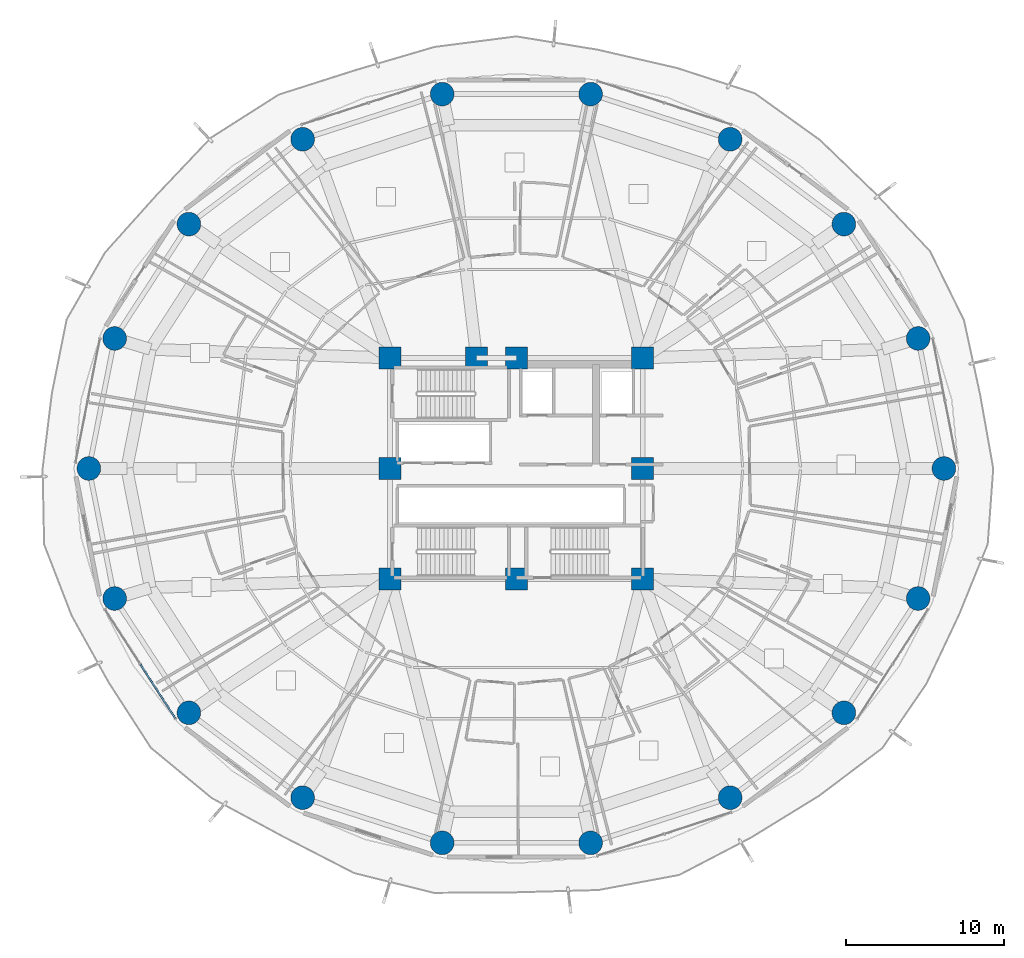
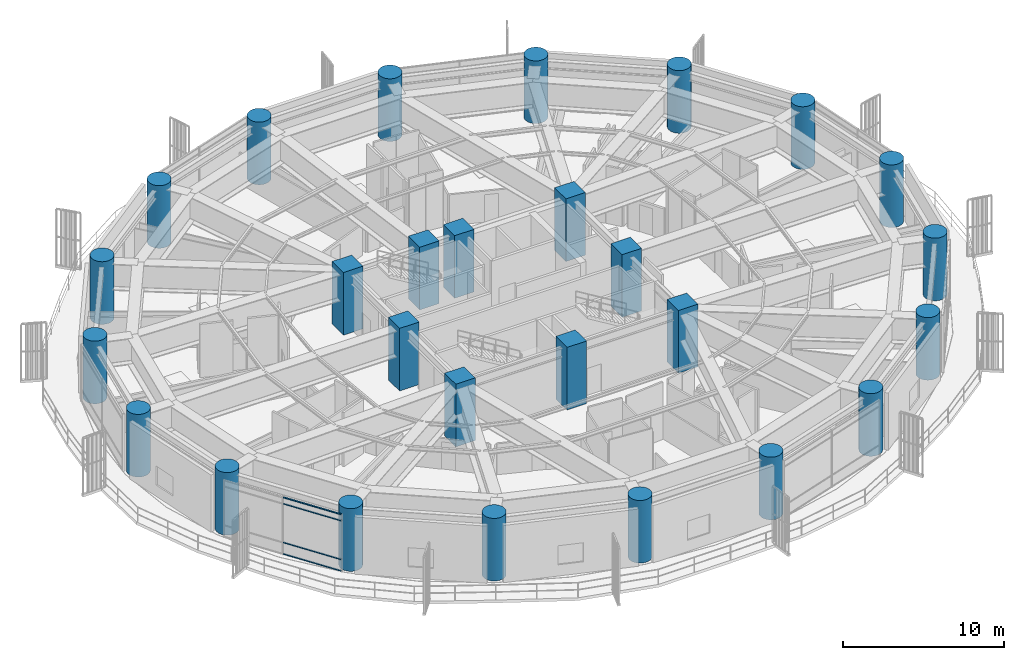
# One storey, part 1 of 31: 27 columns, 4 members, 1 element without a shape of its own.
"""IFC4 building model written with IfcOpenShell, lengths in metres."""

import ifcopenshell
import ifcopenshell.guid

model = None  # the IFC model being written
_history = None  # IfcOwnerHistory: only IFC2X3 demands one
_inside = {}  # id of a spatial element -> (the spatial element, [elements in it])
_under = {}  # id of a project, library or spatial element -> (it, [spatial elements below it])
_declared = {}  # id of a project -> (the project, [libraries it declares])
_typed = {}  # id of a type object -> (the type object, [elements of that type])
_made_of = {}  # id of a material, layer set ... -> (it, [elements and type objects made of it])


def new_model(schema):
    """Start an empty IFC model of exactly this schema.

    Asked for "IFC4X3", IfcOpenShell would pick the latest addendum, in which some entities
    have other attributes; the version numbers below select the first issue.
    IFC2X3 requires an IfcOwnerHistory on every rooted entity: one is made here for all.
    """
    global model, _history
    if schema == "IFC4X3":
        model = ifcopenshell.file(schema_version=(4, 3, 0, 0))
    else:
        model = ifcopenshell.file(schema=schema)
    _inside.clear()
    _under.clear()
    _declared.clear()
    _typed.clear()
    _made_of.clear()
    _history = None
    if model.schema == "IFC2X3":
        org = make("IfcOrganization", Name="unknown")
        user = make(
            "IfcPersonAndOrganization",
            ThePerson=make("IfcPerson", FamilyName="unknown"),
            TheOrganization=org,
        )
        app = make(
            "IfcApplication",
            ApplicationDeveloper=org,
            Version="unknown",
            ApplicationFullName="unknown",
            ApplicationIdentifier="unknown",
        )
        _history = make(
            "IfcOwnerHistory",
            OwningUser=user,
            OwningApplication=app,
            ChangeAction="ADDED",
            CreationDate=0,
        )
    return model


def make(cls, **values):
    """One entity of the class cls with the attributes given. An attribute that is None is left unset."""
    return model.create_entity(
        cls, **{name: value for name, value in values.items() if value is not None}
    )


def rooted(cls, **values):
    """An entity with a GlobalId (a new one), such as an element, a storey or a relation."""
    return make(cls, GlobalId=ifcopenshell.guid.new(), OwnerHistory=_history, **values)


def si_unit(unit_type, name, prefix=None):
    """IfcSIUnit, for example si_unit("LENGTHUNIT", "METRE", prefix="MILLI")."""
    return make("IfcSIUnit", UnitType=unit_type, Prefix=prefix, Name=name)


def assignment(units):
    """IfcUnitAssignment: the units of a project."""
    return None if units is None else make("IfcUnitAssignment", Units=units)


def point(xyz):
    """IfcCartesianPoint."""
    return None if xyz is None else make("IfcCartesianPoint", Coordinates=xyz)


def direction(xyz):
    """IfcDirection."""
    return None if xyz is None else make("IfcDirection", DirectionRatios=xyz)


def frame(location, z_axis=None, x_axis=None):
    """IfcAxis2Placement3D, a coordinate frame: its origin and axes. An axis left out is left unset."""
    return make(
        "IfcAxis2Placement3D",
        Location=point(location),
        Axis=direction(z_axis),
        RefDirection=direction(x_axis),
    )


def frame_2d(location, x_axis=None):
    """IfcAxis2Placement2D, a coordinate frame in the plane: its origin and x axis."""
    return make(
        "IfcAxis2Placement2D", Location=point(location), RefDirection=direction(x_axis)
    )


def origin():
    """The frame at (0, 0, 0) with its axes left unset."""
    return frame((0.0, 0.0, 0.0))


def origin_2d():
    """The frame at (0, 0) in the plane with its x axis left unset."""
    return frame_2d((0.0, 0.0))


def place(relative_to, where):
    """IfcLocalPlacement: puts the frame where relative to a parent placement (None: the world)."""
    return make(
        "IfcLocalPlacement", PlacementRelTo=relative_to, RelativePlacement=where
    )


def context(
    kind, dimensions, precision=None, world=None, true_north=None, identifier=None
):
    """IfcGeometricRepresentationContext, for example the 3D "Model" context."""
    return make(
        "IfcGeometricRepresentationContext",
        ContextIdentifier=identifier,
        ContextType=kind,
        CoordinateSpaceDimension=dimensions,
        Precision=precision,
        WorldCoordinateSystem=world,
        TrueNorth=true_north,
    )


def subcontext(parent, identifier, kind, view, scale=None):
    """IfcGeometricRepresentationSubContext, for example "Body" below "Model"."""
    return make(
        "IfcGeometricRepresentationSubContext",
        ContextIdentifier=identifier,
        ContextType=kind,
        ParentContext=parent,
        TargetScale=scale,
        TargetView=view,
    )


def project(units=None, contexts=None):
    """IfcProject with its units and contexts."""
    return rooted(
        "IfcProject",
        Name="project",
        RepresentationContexts=contexts,
        UnitsInContext=assignment(units),
    )


def spatial(cls, under=None, at=None, **own):
    """A site, building, storey or space (cls), placed at a placement, below another one or the project."""
    s = rooted(cls, ObjectPlacement=at, **own)
    if under is not None:
        _under.setdefault(under.id(), (under, []))[1].append(s)
    return s


def profile(cls, at=None, kind="AREA", **sizes):
    """A parametric profile (cls). Its sizes go by their IFC names, for example OverallWidth=200.0."""
    return make(cls, ProfileType=kind, Position=at, **sizes)


def rectangle(**sizes):
    """IfcRectangleProfileDef."""
    return profile("IfcRectangleProfileDef", **sizes)


def hollow_rectangle(**sizes):
    """IfcRectangleHollowProfileDef."""
    return profile("IfcRectangleHollowProfileDef", **sizes)


def circle(**sizes):
    """IfcCircleProfileDef."""
    return profile("IfcCircleProfileDef", **sizes)


def extrude(swept, where, along, depth):
    """IfcExtrudedAreaSolid: the profile swept, set in the frame where, extruded along a direction by depth."""
    return make(
        "IfcExtrudedAreaSolid",
        SweptArea=swept,
        Position=where,
        ExtrudedDirection=direction(along),
        Depth=depth,
    )


def shape(context_of_items, identifier, shape_type, items):
    """IfcShapeRepresentation: the items that make up one representation, for example the "Body"."""
    return make(
        "IfcShapeRepresentation",
        ContextOfItems=context_of_items,
        RepresentationIdentifier=identifier,
        RepresentationType=shape_type,
        Items=items,
    )


def material(Name=None, Category=None):
    """IfcMaterial."""
    return make("IfcMaterial", Name=Name, Category=Category)


def layer(
    of_material, thickness, ventilated=None, Name=None, Category=None, Priority=None
):
    """IfcMaterialLayer: one layer of a wall or slab, of a material (None: an air gap)."""
    return make(
        "IfcMaterialLayer",
        Material=of_material,
        LayerThickness=thickness,
        IsVentilated=ventilated,
        Name=Name,
        Category=Category,
        Priority=Priority,
    )


def layer_set(layers, Name=None):
    """IfcMaterialLayerSet."""
    return make("IfcMaterialLayerSet", MaterialLayers=layers, LayerSetName=Name)


def material_profile(
    of_material, cross_section, Name=None, Category=None, Priority=None
):
    """IfcMaterialProfile: a cross section and its material."""
    return make(
        "IfcMaterialProfile",
        Name=Name,
        Material=of_material,
        Profile=cross_section,
        Priority=Priority,
        Category=Category,
    )


def profile_set(profiles, Name=None, composite=None):
    """IfcMaterialProfileSet."""
    return make(
        "IfcMaterialProfileSet",
        Name=Name,
        MaterialProfiles=profiles,
        CompositeProfile=composite,
    )


def made_of(thing, what):
    """Note that an element or type object is made of a material, layer set ...; save() writes the relation."""
    if what is not None:
        _made_of.setdefault(what.id(), (what, []))[1].append(thing)
    return thing


def type_object(cls, material=None, **own):
    """A type object (cls), such as IfcWallType, which elements share."""
    return made_of(rooted(cls, **own), material)


def element(
    cls,
    number,
    at=None,
    inside=None,
    cuts=None,
    type_object=None,
    material=None,
    context=None,
    identifier="Body",
    shape_type=None,
    held_by="IfcProductDefinitionShape",
    body=None,
    shapes=None,
    **own,
):
    """One element of the class cls, such as IfcWall. Its Tag is "e" and its number.

    at: its placement. inside: the storey or other place that contains it. cuts: it is an
    opening in that element (IfcRelVoidsElement). A single representation is given by context,
    identifier, shape_type and body (its items); several are given by shapes. held_by: the class
    of the entity that holds the representations. save() writes the other relations.
    """
    e = rooted(cls, Tag="e%d" % number, ObjectPlacement=at, **own)
    if body is not None:
        shapes = [shape(context, identifier, shape_type, body)]
    if shapes is not None:
        e.Representation = make(held_by, Representations=shapes)
    if inside is not None:
        _inside.setdefault(inside.id(), (inside, []))[1].append(e)
    if cuts is not None:
        rooted(
            "IfcRelVoidsElement", RelatingBuildingElement=cuts, RelatedOpeningElement=e
        )
    if type_object is not None:
        _typed.setdefault(type_object.id(), (type_object, []))[1].append(e)
    return made_of(e, material)


def aggregate(whole, parts):
    """IfcRelAggregates: a whole, such as a stair, and the parts it consists of."""
    return rooted("IfcRelAggregates", RelatingObject=whole, RelatedObjects=parts)


def save(model, path):
    """Write the relations noted so far, then the file.

    IfcRelAggregates (storeys below a building ...), IfcRelContainedInSpatialStructure (elements
    in a storey), IfcRelDefinesByType, IfcRelAssociatesMaterial and IfcRelDeclares: one each for
    every whole, place, type object, material and project.
    """
    for whole, parts in _under.values():
        aggregate(whole, parts)
    for where, things in _inside.values():
        rooted(
            "IfcRelContainedInSpatialStructure",
            RelatedElements=things,
            RelatingStructure=where,
        )
    for kind, things in _typed.values():
        rooted("IfcRelDefinesByType", RelatedObjects=things, RelatingType=kind)
    for what, things in _made_of.values():
        rooted("IfcRelAssociatesMaterial", RelatedObjects=things, RelatingMaterial=what)
    for by, libraries in _declared.values():
        rooted("IfcRelDeclares", RelatingContext=by, RelatedDefinitions=libraries)
    model.write(path)


model = new_model("IFC4")

# Units and contexts
model_context = context("Model", 3, precision=1e-05, world=origin(), true_north=direction((0.0, 1.0)))
body_context = subcontext(model_context, "Body", "Model", "MODEL_VIEW")
ifc_project = project(units=[si_unit("LENGTHUNIT", "METRE"), si_unit("AREAUNIT", "SQUARE_METRE"), si_unit("VOLUMEUNIT", "CUBIC_METRE"), si_unit("PLANEANGLEUNIT", "RADIAN"), si_unit("MASSUNIT", "GRAM", prefix="KILO")], contexts=[model_context])

# Site, building, storey
site_placement = place(None, origin())
site = spatial("IfcSite", under=ifc_project, at=site_placement, CompositionType="ELEMENT")
building_placement = place(site_placement, origin())
building = spatial("IfcBuilding", under=site, at=building_placement, Name="Kelanora Arch Commons", CompositionType="ELEMENT")
storey_placement = place(building_placement, frame((0.0, 0.0, 67.5)))
storey = spatial("IfcBuildingStorey", under=building, at=storey_placement, Name="L17", CompositionType="ELEMENT", Elevation=67.5)

# Columns
ifc_material_1 = material(Name="Concrete C60/75", Category="concrete")
ifc_material_profile_1 = material_profile(ifc_material_1, circle(Radius=0.75, at=origin_2d()), Name="RCC1500")
ifc_profile_set_1 = profile_set([ifc_material_profile_1], Name="Concrete C60/75")
column_type_1 = type_object("IfcColumnType", Name="COL-PERIM-Z1", PredefinedType="COLUMN", material=ifc_profile_set_1)
for number, where, z_axis, x_axis, name in (
    (1, (101.080078125, 58.0, 0.0), (0.0, 0.0, 1.0), (1.0, 0.0, 0.0), "Perimeter Ring Column CP-00 L17"),
    (2, (99.447021484375, 66.23583984375, 0.0), (0.0, 0.0, 1.0), (1.0, 0.0, 0.0), "Perimeter Ring Column CP-02 L17"),
    (3, (94.744384765625, 73.478271484375, 0.0), (0.0, 0.0, 1.0), (1.0, 0.0, 0.0), "Perimeter Ring Column CP-04 L17"),
    (4, (87.5400390625, 78.85400390625, 0.0), (0.0, 0.0, 1.0), (1.0, 0.0, 0.0), "Perimeter Ring Column CP-06 L17"),
    (5, (78.702392578125, 81.714111328125, 0.0), (0.0, 0.0, 1.0), (1.0, 0.0, 0.0), "Perimeter Ring Column CP-08 L17"),
    (6, (69.297607421875, 81.714111328125, 0.0), (0.0, 0.0, 1.0), (1.0, 0.0, 0.0), "Perimeter Ring Column CP-10 L17"),
    (7, (60.4599609375, 78.85400390625, 0.0), (0.0, 0.0, 1.0), (1.0, 0.0, 0.0), "Perimeter Ring Column CP-12 L17"),
    (8, (53.255615234375, 73.478271484375, 0.0), (0.0, 0.0, 1.0), (1.0, 0.0, 0.0), "Perimeter Ring Column CP-14 L17"),
    (9, (48.552978515625, 66.23583984375, 0.0), (0.0, 0.0, 1.0), (1.0, 0.0, 0.0), "Perimeter Ring Column CP-16 L17"),
    (10, (46.919921875, 58.0, 0.0), (0.0, 0.0, 1.0), (1.0, 0.0, 0.0), "Perimeter Ring Column CP-18 L17"),
    (11, (48.552978515625, 49.76416015625, 0.0), (0.0, 0.0, 1.0), (1.0, 0.0, 0.0), "Perimeter Ring Column CP-20 L17"),
    (12, (53.255615234375, 42.521728515625, 0.0), (0.0, 0.0, 1.0), (1.0, 0.0, 0.0), "Perimeter Ring Column CP-22 L17"),
    (13, (60.4599609375, 37.14599609375, 0.0), (0.0, 0.0, 1.0), (1.0, 0.0, 0.0), "Perimeter Ring Column CP-24 L17"),
    (14, (69.297607421875, 34.285888671875, 0.0), (0.0, 0.0, 1.0), (1.0, 0.0, 0.0), "Perimeter Ring Column CP-26 L17"),
    (15, (78.702392578125, 34.285888671875, 0.0), (0.0, 0.0, 1.0), (1.0, 0.0, 0.0), "Perimeter Ring Column CP-28 L17"),
    (16, (87.5400390625, 37.14599609375, 0.0), (0.0, 0.0, 1.0), (1.0, 0.0, 0.0), "Perimeter Ring Column CP-30 L17"),
    (17, (94.744384765625, 42.521728515625, 0.0), (0.0, 0.0, 1.0), (1.0, 0.0, 0.0), "Perimeter Ring Column CP-32 L17"),
    (18, (99.447021484375, 49.76416015625, 0.0), (0.0, 0.0, 1.0), (1.0, 0.0, 0.0), "Perimeter Ring Column CP-34 L17"),
):
    element("IfcColumn", number, at=place(storey_placement, frame(where, z_axis=z_axis, x_axis=x_axis)), inside=storey, type_object=column_type_1, Name=name, PredefinedType="COLUMN", context=body_context, shape_type="SweptSolid", body=[
        extrude(circle(Radius=0.75, at=origin_2d()), origin(), (0.0, 0.0, 1.0), 4.760009765625),
    ])
ifc_material_profile_2 = material_profile(ifc_material_1, rectangle(XDim=1.39990234375, YDim=1.39990234375, at=origin_2d()), Name="RC1400x1400")
ifc_profile_set_2 = profile_set([ifc_material_profile_2], Name="Concrete C60/75")
column_type_2 = type_object("IfcColumnType", Name="COL-PIL-LOW", PredefinedType="PILASTER", material=ifc_profile_set_2)
for number, where, z_axis, x_axis, name in (
    (19, (66.0, 51.0, 0.0), (0.0, 0.0, 1.0), (1.0, 0.0, 0.0), "Core Pilaster Column CP1 L17"),
    (20, (74.0, 51.0, 0.0), (0.0, 0.0, 1.0), (1.0, 0.0, 0.0), "Core Pilaster Column CP2 L17"),
    (21, (82.0, 51.0, 0.0), (0.0, 0.0, 1.0), (1.0, 0.0, 0.0), "Core Pilaster Column CP3 L17"),
    (22, (82.0, 58.0, 0.0), (0.0, 0.0, 1.0), (1.0, 0.0, 0.0), "Core Pilaster Column CP4 L17"),
    (23, (82.0, 65.0, 0.0), (0.0, 0.0, 1.0), (1.0, 0.0, 0.0), "Core Pilaster Column CP5 L17"),
    (24, (74.0, 65.0, 0.0), (0.0, 0.0, 1.0), (1.0, 0.0, 0.0), "Core Pilaster Column CP6 L17"),
    (25, (71.47998046875, 65.0, 0.0), (0.0, 0.0, 1.0), (1.0, 0.0, 0.0), "Core Pilaster Column CP9 L17"),
    (26, (66.0, 65.0, 0.0), (0.0, 0.0, 1.0), (1.0, 0.0, 0.0), "Core Pilaster Column CP7 L17"),
    (27, (66.0, 58.0, 0.0), (0.0, 0.0, 1.0), (1.0, 0.0, 0.0), "Core Pilaster Column CP8 L17"),
):
    element("IfcColumn", number, at=place(storey_placement, frame(where, z_axis=z_axis, x_axis=x_axis)), inside=storey, type_object=column_type_2, Name=name, PredefinedType="PILASTER", context=body_context, shape_type="SweptSolid", body=[
        extrude(rectangle(XDim=1.39990234375, YDim=1.39990234375, at=origin_2d()), origin(), (0.0, 0.0, 1.0), 4.760009765625),
    ])

# Curtain wall, members
ifc_material_2 = material(Name="Terracotta ceramic-fritted low-E glass and aluminium", Category="masonry")
ifc_layer = layer(ifc_material_2, 0.159912109375)
ifc_layer_set = layer_set([ifc_layer], Name="Terracotta ceramic-fritted low-E glass and aluminium")
curtain_wall_type = type_object("IfcCurtainWallType", Name="CW-SYS-01", PredefinedType="NOTDEFINED", material=ifc_layer_set)
curtain_wall_placement = place(storey_placement, origin())
curtain_wall = element("IfcCurtainWall", 28, at=curtain_wall_placement, inside=storey, type_object=curtain_wall_type, Name="Unitised Curtain Wall L17-B10", PredefinedType="NOTDEFINED")
ifc_material_3 = material(Name="Powder-coated aluminium terracotta", Category="masonry")
ifc_material_profile_3 = material_profile(ifc_material_3, hollow_rectangle(XDim=0.1201171875, YDim=0.06005859375, WallThickness=0.0048828125, InnerFilletRadius=0.0048828125, OuterFilletRadius=0.010009765625, at=origin_2d()), Name="CWT120x60")
ifc_profile_set_3 = profile_set([ifc_material_profile_3], Name="Powder-coated aluminium terracotta")
member_type = type_object("IfcMemberType", Name="CWT-STD", PredefinedType="USERDEFINED", material=ifc_profile_set_3)
member_1_placement = place(storey_placement, frame((50.185546875, 45.588134765625, 0.030029296875), z_axis=(0.542997414293, -0.839734367566, 0.0), x_axis=(0.839734367566, 0.542997414293, 0.0)))
member_1 = element("IfcMember", 29, at=member_1_placement, type_object=member_type, Name="CW-01 transom 2.1", ObjectType="TRANSOM", PredefinedType="USERDEFINED", context=body_context, shape_type="SweptSolid", body=[
    extrude(hollow_rectangle(XDim=0.1201171875, YDim=0.06005859375, WallThickness=0.0048828125, InnerFilletRadius=0.0048828125, OuterFilletRadius=0.010009765625, at=origin_2d()), origin(), (0.0, 0.0, 1.0), 4.067626953125),
])
member_2_placement = place(storey_placement, frame((50.185546875, 45.588134765625, 0.89990234375), z_axis=(0.542997414293, -0.839734367566, 0.0), x_axis=(0.839734367566, 0.542997414293, 0.0)))
member_2 = element("IfcMember", 30, at=member_2_placement, type_object=member_type, Name="CW-01 transom 2.2", ObjectType="TRANSOM", PredefinedType="USERDEFINED", context=body_context, shape_type="SweptSolid", body=[
    extrude(hollow_rectangle(XDim=0.1201171875, YDim=0.06005859375, WallThickness=0.0048828125, InnerFilletRadius=0.0048828125, OuterFilletRadius=0.010009765625, at=origin_2d()), origin(), (0.0, 0.0, 1.0), 4.067626953125),
])
member_3_placement = place(storey_placement, frame((50.185546875, 45.588134765625, 3.844970703125), z_axis=(0.542997414293, -0.839734367566, 0.0), x_axis=(0.839734367566, 0.542997414293, 0.0)))
member_3 = element("IfcMember", 31, at=member_3_placement, type_object=member_type, Name="CW-01 transom 2.3", ObjectType="TRANSOM", PredefinedType="USERDEFINED", context=body_context, shape_type="SweptSolid", body=[
    extrude(hollow_rectangle(XDim=0.1201171875, YDim=0.06005859375, WallThickness=0.0048828125, InnerFilletRadius=0.0048828125, OuterFilletRadius=0.010009765625, at=origin_2d()), origin(), (0.0, 0.0, 1.0), 4.067626953125),
])
member_4_placement = place(storey_placement, frame((50.185546875, 45.588134765625, 4.31494140625), z_axis=(0.542997414293, -0.839734367566, 0.0), x_axis=(0.839734367566, 0.542997414293, 0.0)))
member_4 = element("IfcMember", 32, at=member_4_placement, type_object=member_type, Name="CW-01 transom 2.4", ObjectType="TRANSOM", PredefinedType="USERDEFINED", context=body_context, shape_type="SweptSolid", body=[
    extrude(hollow_rectangle(XDim=0.1201171875, YDim=0.06005859375, WallThickness=0.0048828125, InnerFilletRadius=0.0048828125, OuterFilletRadius=0.010009765625, at=origin_2d()), origin(), (0.0, 0.0, 1.0), 4.067626953125),
])
aggregate(curtain_wall, [member_1, member_2, member_3, member_4])

save(model, "model.ifc")
